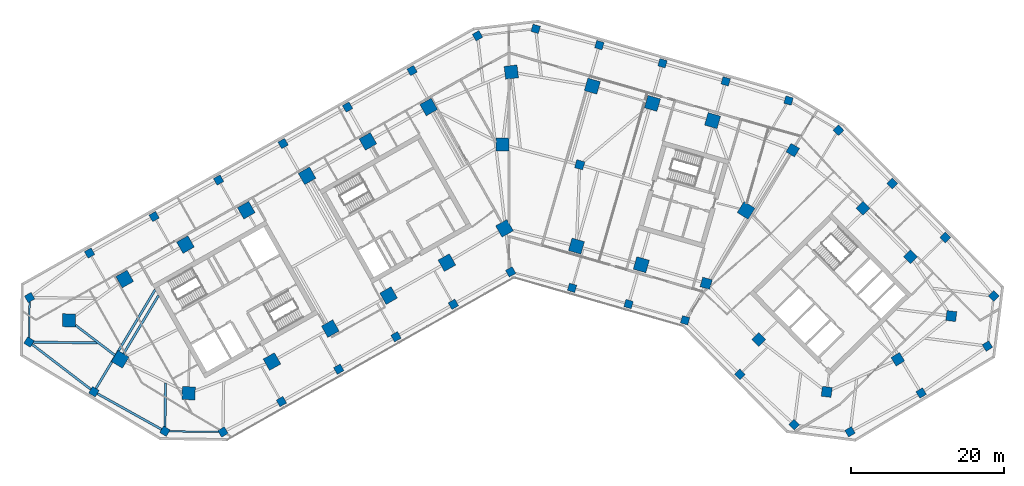
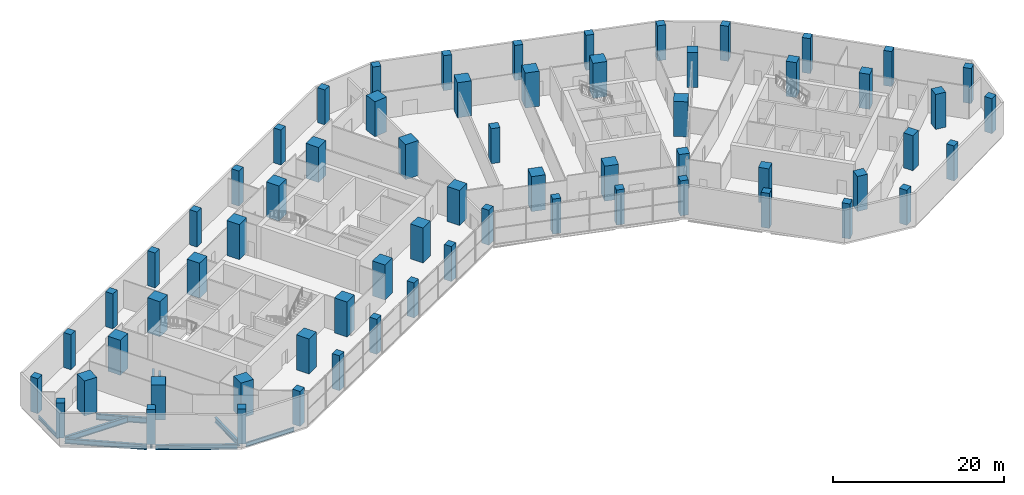
# One storey, part 1 of 15: 65 columns, 9 beams.
"""IFC4 building model written with IfcOpenShell, lengths in metres."""

from ifc_helpers import new_model, si_unit, direction, frame, origin, origin_2d, place, context, subcontext, project, spatial, rectangle, i_section, extrude, material, material_profile, profile_set, type_object, element, save


model = new_model("IFC4")

# Units and contexts
model_context = context("Model", 3, precision=1e-05, world=origin(), true_north=direction((0.0, 1.0)))
body_context = subcontext(model_context, "Body", "Model", "MODEL_VIEW")
ifc_project = project(units=[si_unit("LENGTHUNIT", "METRE"), si_unit("AREAUNIT", "SQUARE_METRE"), si_unit("VOLUMEUNIT", "CUBIC_METRE"), si_unit("PLANEANGLEUNIT", "RADIAN"), si_unit("MASSUNIT", "GRAM", prefix="KILO")], contexts=[model_context])

# Site, building, storey
site_placement = place(None, origin())
site = spatial("IfcSite", under=ifc_project, at=site_placement, CompositionType="ELEMENT")
building_placement = place(site_placement, origin())
building = spatial("IfcBuilding", under=site, at=building_placement, Name="Binnacle Exchange Tower", CompositionType="ELEMENT")
storey_placement = place(building_placement, frame((0.0, 0.0, 16.5)))
storey = spatial("IfcBuildingStorey", under=building, at=storey_placement, Name="L03", CompositionType="ELEMENT", Elevation=16.5)

# Columns
ifc_material_1 = material(Name="Concrete C60/75", Category="concrete")
ifc_material_profile_1 = material_profile(ifc_material_1, rectangle(XDim=1.10009765625, YDim=1.10009765625, at=origin_2d()), Name="Column 1100x1100 C60/75")
ifc_profile_set_1 = profile_set([ifc_material_profile_1], Name="Concrete C60/75")
column_type_1 = type_object("IfcColumnType", Name="Column 1100x1100 C60/75", PredefinedType="COLUMN", material=ifc_profile_set_1)
column_placement = place(storey_placement, frame((9.240966796875, 57.35009765625, 0.0), z_axis=(0.0, 0.0, 1.0), x_axis=(0.961261695938, -0.275637355817, 0.0)))
element("IfcColumn", 1, at=column_placement, inside=storey, type_object=column_type_1, Name="S:COL:C19:L03", PredefinedType="COLUMN", context=body_context, shape_type="SweptSolid", body=[
    extrude(rectangle(XDim=1.10009765625, YDim=1.10009765625, at=origin_2d()), origin(), (0.0, 0.0, 1.0), 5.0),
])
ifc_material_2 = material(Name="Concrete C70/85", Category="concrete")
ifc_material_profile_2 = material_profile(ifc_material_2, rectangle(XDim=1.300048828125, YDim=1.300048828125, at=origin_2d()), Name="Mega column 1300x1300 C70/85")
ifc_profile_set_2 = profile_set([ifc_material_profile_2], Name="Concrete C70/85")
column_type_2 = type_object("IfcColumnType", Name="Mega column 1300x1300 C70/85", PredefinedType="COLUMN", material=ifc_profile_set_2)
for number, where, z_axis, x_axis, name in (
    (2, (37.0849609375, 59.262451171875, 0.0), (0.0, 0.0, 1.0), (-0.859406411501, 0.511293086077, 0.0), "S:COL:MC57:L03"),
    (3, (25.766845703125, 41.85986328125, 0.0), (0.0, 0.0, 1.0), (0.961261695938, -0.275637355817, 0.0), "S:COL:MC56:L03"),
    (4, (32.64111328125, 34.530029296875, 0.0), (0.0, 0.0, 1.0), (0.7009092643, -0.713250449154, 0.0), "S:COL:MC59:L03"),
    (5, (41.519775390625, 27.6748046875, 0.0), (0.0, 0.0, 1.0), (0.99200494968, -0.126198969136, 0.0), "S:COL:MC61:L03"),
    (6, (50.81201171875, 31.930908203125, 0.0), (0.0, 0.0, 1.0), (0.857167300702, 0.51503807491, 0.0), "S:COL:MC63:L03"),
    (7, (57.799072265625, 37.5810546875, 0.0), (0.0, 0.0, 1.0), (0.126198969136, 0.99200494968, 0.0), "S:COL:MC62:L03"),
    (8, (52.466796875, 45.33935546875, 0.0), (0.0, 0.0, 1.0), (-0.7009092643, 0.713250449154, 0.0), "S:COL:MC60:L03"),
    (9, (46.248291015625, 51.667236328125, 0.0), (0.0, 0.0, 1.0), (-0.7009092643, 0.713250449154, 0.0), "S:COL:MC58:L03"),
):
    element("IfcColumn", number, at=place(storey_placement, frame(where, z_axis=z_axis, x_axis=x_axis)), inside=storey, type_object=column_type_2, Name=name, PredefinedType="COLUMN", context=body_context, shape_type="SweptSolid", body=[
        extrude(rectangle(XDim=1.300048828125, YDim=1.300048828125, at=origin_2d()), origin(), (0.0, 0.0, 1.0), 5.0),
    ])
ifc_material_profile_3 = material_profile(ifc_material_2, rectangle(XDim=1.699951171875, YDim=1.699951171875, at=origin_2d()), Name="Mega column 1700x1700 C70/85")
ifc_profile_set_3 = profile_set([ifc_material_profile_3], Name="Concrete C70/85")
column_type_3 = type_object("IfcColumnType", Name="Mega column 1700x1700 C70/85", PredefinedType="COLUMN", material=ifc_profile_set_3)
for number, where, z_axis, x_axis, name in (
    (10, (26.602783203125, 63.12353515625, 0.0), (0.0, 0.0, 1.0), (-0.961261695938, 0.275637355817, 0.0), "S:COL:MC52:L03"),
    (11, (18.746337890625, 65.376220703125, 0.0), (0.0, 0.0, 1.0), (-0.961261695938, 0.275637355817, 0.0), "S:COL:MC50:L03"),
    (12, (10.889892578125, 67.62890625, 0.0), (0.0, 0.0, 1.0), (-0.961261695938, 0.275637355817, 0.0), "S:COL:MC48:L03"),
    (13, (0.300048828125, 69.464111328125, 0.0), (0.0, 0.0, 1.0), (-0.993068456955, -0.117537397458, 0.0), "S:COL:MC47:L03"),
    (14, (-10.4951171875, 64.901611328125, 0.0), (0.0, 0.0, 1.0), (-0.87035569594, -0.492423560103, 0.0), "S:COL:MC38:L03"),
    (15, (-18.44140625, 60.406005859375, 0.0), (0.0, 0.0, 1.0), (-0.87035569594, -0.492423560103, 0.0), "S:COL:MC29:L03"),
    (16, (-26.3876953125, 55.91015625, 0.0), (0.0, 0.0, 1.0), (-0.87035569594, -0.492423560103, 0.0), "S:COL:MC21:L03"),
    (17, (-34.333740234375, 51.414306640625, 0.0), (0.0, 0.0, 1.0), (-0.87035569594, -0.492423560103, 0.0), "S:COL:MC13:L03"),
    (18, (-42.280029296875, 46.918701171875, 0.0), (0.0, 0.0, 1.0), (-0.87035569594, -0.492423560103, 0.0), "S:COL:MC08:L03"),
    (19, (-50.226318359375, 42.4228515625, 0.0), (0.0, 0.0, 1.0), (-0.87035569594, -0.492423560103, 0.0), "S:COL:MC04:L03"),
    (20, (-57.492919921875, 37.02734375, 0.0), (0.0, 0.0, 1.0), (-0.013089595571, -0.999914327574, 0.0), "S:COL:MC02:L03"),
    (21, (-50.81201171875, 31.930908203125, 0.0), (0.0, 0.0, 1.0), (0.857167300702, -0.51503807491, 0.0), "S:COL:MC01:L03"),
    (22, (-41.857666015625, 27.494873046875, 0.0), (0.0, 0.0, 1.0), (0.999914327574, -0.013089595571, 0.0), "S:COL:MC03:L03"),
    (23, (-30.9755859375, 31.63525390625, 0.0), (0.0, 0.0, 1.0), (0.87035569594, 0.492423560103, 0.0), "S:COL:MC07:L03"),
    (24, (-23.35595703125, 35.9462890625, 0.0), (0.0, 0.0, 1.0), (0.87035569594, 0.492423560103, 0.0), "S:COL:MC16:L03"),
    (25, (-15.736328125, 40.257080078125, 0.0), (0.0, 0.0, 1.0), (0.87035569594, 0.492423560103, 0.0), "S:COL:MC24:L03"),
    (26, (-8.116943359375, 44.568115234375, 0.0), (0.0, 0.0, 1.0), (0.87035569594, 0.492423560103, 0.0), "S:COL:MC35:L03"),
    (27, (-0.5908203125, 49.04443359375, 0.0), (0.0, 0.0, 1.0), (0.87035569594, 0.492423560103, 0.0), "S:COL:MC46:L03"),
    (28, (8.8095703125, 46.722412109375, 0.0), (0.0, 0.0, 1.0), (0.961261695938, -0.275637355817, 0.0), "S:COL:MC49:L03"),
    (29, (17.2880859375, 44.291015625, 0.0), (0.0, 0.0, 1.0), (0.961261695938, -0.275637355817, 0.0), "S:COL:MC51:L03"),
    (30, (30.989501953125, 51.38623046875, 0.0), (0.0, 0.0, 1.0), (0.529919264233, 0.848048096156, 0.0), "S:COL:MC55:L03"),
    (31, (-0.85009765625, 60.0, 0.0), (0.0, 0.0, 1.0), (0.0, 1.0, 0.0), "S:COL:MC45:L03"),
):
    element("IfcColumn", number, at=place(storey_placement, frame(where, z_axis=z_axis, x_axis=x_axis)), inside=storey, type_object=column_type_3, Name=name, PredefinedType="COLUMN", context=body_context, shape_type="SweptSolid", body=[
        extrude(rectangle(XDim=1.699951171875, YDim=1.699951171875, at=origin_2d()), origin(), (0.0, 0.0, 1.0), 5.0),
    ])
ifc_material_3 = material(Name="Concrete C50/60", Category="concrete")
ifc_material_profile_4 = material_profile(ifc_material_3, rectangle(XDim=1.0, YDim=1.0, at=origin_2d()), Name="Podium column 1000x1000 C50/60")
ifc_profile_set_4 = profile_set([ifc_material_profile_4], Name="Concrete C50/60")
column_type_4 = type_object("IfcColumnType", Name="Podium column 1000x1000 C50/60", PredefinedType="COLUMN", material=ifc_profile_set_4)
for number, where, z_axis, x_axis, name in (
    (32, (36.5283203125, 65.739013671875, 0.0), (0.0, 0.0, 1.0), (-0.961261695938, 0.275637355817, 0.0), "S:COL:C25:L03"),
    (33, (28.31591796875, 68.249755859375, 0.0), (0.0, 0.0, 1.0), (-0.961261695938, 0.275637355817, 0.0), "S:COL:C24:L03"),
    (34, (20.0625, 70.616455078125, 0.0), (0.0, 0.0, 1.0), (-0.961261695938, 0.275637355817, 0.0), "S:COL:C22:L03"),
    (35, (11.808837890625, 72.983154296875, 0.0), (0.0, 0.0, 1.0), (-0.961261695938, 0.275637355817, 0.0), "S:COL:C20:L03"),
    (36, (3.486083984375, 75.109619140625, 0.0), (0.0, 0.0, 1.0), (-0.961261695938, 0.275637355817, 0.0), "S:COL:C18:L03"),
    (37, (-4.115966796875, 74.209716796875, 0.0), (0.0, 0.0, 1.0), (-0.87035569594, -0.492423560103, 0.0), "S:COL:C16:L03"),
    (38, (-12.66748046875, 69.65869140625, 0.0), (0.0, 0.0, 1.0), (-0.87035569594, -0.492423560103, 0.0), "S:COL:C15:L03"),
    (39, (-21.095703125, 64.89013671875, 0.0), (0.0, 0.0, 1.0), (-0.87035569594, -0.492423560103, 0.0), "S:COL:C13:L03"),
    (40, (-29.524169921875, 60.12158203125, 0.0), (0.0, 0.0, 1.0), (-0.87035569594, -0.492423560103, 0.0), "S:COL:C11:L03"),
    (41, (-37.95263671875, 55.35302734375, 0.0), (0.0, 0.0, 1.0), (-0.87035569594, -0.492423560103, 0.0), "S:COL:C10:L03"),
    (42, (-46.381103515625, 50.58447265625, 0.0), (0.0, 0.0, 1.0), (-0.87035569594, -0.492423560103, 0.0), "S:COL:C08:L03"),
    (43, (-54.8095703125, 45.81591796875, 0.0), (0.0, 0.0, 1.0), (-0.87035569594, -0.492423560103, 0.0), "S:COL:C06:L03"),
    (44, (-62.64697265625, 40.0029296875, 0.0), (0.0, 0.0, 1.0), (-0.87035569594, -0.492423560103, 0.0), "S:COL:C05:L03"),
    (45, (-62.722900390625, 34.18798828125, 0.0), (0.0, 0.0, 1.0), (0.857167300702, -0.51503807491, 0.0), "S:COL:C03:L03"),
    (46, (-54.244873046875, 27.69384765625, 0.0), (0.0, 0.0, 1.0), (0.857167300702, -0.51503807491, 0.0), "S:COL:C02:L03"),
    (47, (-44.968505859375, 22.5283203125, 0.0), (0.0, 0.0, 1.0), (0.857167300702, -0.51503807491, 0.0), "S:COL:C01:L03"),
    (48, (-37.378173828125, 22.428955078125, 0.0), (0.0, 0.0, 1.0), (0.87035569594, 0.492423560103, 0.0), "S:COL:C04:L03"),
    (49, (-29.740478515625, 26.4052734375, 0.0), (0.0, 0.0, 1.0), (0.87035569594, 0.492423560103, 0.0), "S:COL:C07:L03"),
    (50, (-22.250732421875, 30.642822265625, 0.0), (0.0, 0.0, 1.0), (0.87035569594, 0.492423560103, 0.0), "S:COL:C09:L03"),
    (51, (-14.760986328125, 34.88037109375, 0.0), (0.0, 0.0, 1.0), (0.87035569594, 0.492423560103, 0.0), "S:COL:C12:L03"),
    (52, (-7.27099609375, 39.117919921875, 0.0), (0.0, 0.0, 1.0), (0.87035569594, 0.492423560103, 0.0), "S:COL:C14:L03"),
    (53, (0.21875, 43.35546875, 0.0), (0.0, 0.0, 1.0), (0.87035569594, 0.492423560103, 0.0), "S:COL:C17:L03"),
    (54, (8.242919921875, 41.26708984375, 0.0), (0.0, 0.0, 1.0), (0.961261695938, -0.275637355817, 0.0), "S:COL:C21:L03"),
    (55, (15.6279296875, 39.1494140625, 0.0), (0.0, 0.0, 1.0), (0.961261695938, -0.275637355817, 0.0), "S:COL:C23:L03"),
    (56, (23.01318359375, 37.031982421875, 0.0), (0.0, 0.0, 1.0), (0.961261695938, -0.275637355817, 0.0), "S:COL:C26:L03"),
    (57, (30.17236328125, 29.9658203125, 0.0), (0.0, 0.0, 1.0), (0.7009092643, -0.713250449154, 0.0), "S:COL:C29:L03"),
    (58, (37.26708984375, 23.38818359375, 0.0), (0.0, 0.0, 1.0), (0.7009092643, -0.713250449154, 0.0), "S:COL:C32:L03"),
    (59, (44.563720703125, 22.4599609375, 0.0), (0.0, 0.0, 1.0), (0.857167300702, 0.51503807491, 0.0), "S:COL:C35:L03"),
    (60, (53.86376953125, 27.52294921875, 0.0), (0.0, 0.0, 1.0), (0.857167300702, 0.51503807491, 0.0), "S:COL:C34:L03"),
    (61, (62.52001953125, 33.65771484375, 0.0), (0.0, 0.0, 1.0), (0.857167300702, 0.51503807491, 0.0), "S:COL:C33:L03"),
    (62, (63.35205078125, 40.197509765625, 0.0), (0.0, 0.0, 1.0), (-0.7009092643, 0.713250449154, 0.0), "S:COL:C31:L03"),
    (63, (57.02197265625, 47.8515625, 0.0), (0.0, 0.0, 1.0), (-0.7009092643, 0.713250449154, 0.0), "S:COL:C30:L03"),
    (64, (50.085693359375, 54.91015625, 0.0), (0.0, 0.0, 1.0), (-0.7009092643, 0.713250449154, 0.0), "S:COL:C28:L03"),
    (65, (43.04248046875, 61.86328125, 0.0), (0.0, 0.0, 1.0), (-0.7009092643, 0.713250449154, 0.0), "S:COL:C27:L03"),
):
    element("IfcColumn", number, at=place(storey_placement, frame(where, z_axis=z_axis, x_axis=x_axis)), inside=storey, type_object=column_type_4, Name=name, PredefinedType="COLUMN", context=body_context, shape_type="SweptSolid", body=[
        extrude(rectangle(XDim=1.0, YDim=1.0, at=origin_2d()), origin(), (0.0, 0.0, 1.0), 5.0),
    ])

# Beams
ifc_material_4 = material(Name="Steel S355 (SHN355)", Category="steel")
ifc_material_profile_5 = material_profile(ifc_material_4, i_section(OverallWidth=0.199951171875, OverallDepth=0.5, WebThickness=0.010009765625, FlangeThickness=0.01611328125, FilletRadius=0.02001953125, at=origin_2d()), Name="H 500x200x10x16")
ifc_profile_set_5 = profile_set([ifc_material_profile_5], Name="Steel S355 (SHN355)")
beam_type_1 = type_object("IfcBeamType", Name="Edge girder H 500x200x10x16 Steel S355 (SHN355)", PredefinedType="SPANDREL", material=ifc_profile_set_5)
beam_1_placement = place(storey_placement, frame((-62.71533203125, 34.7666015625, -0.60009765625), z_axis=(0.013051255038, 0.999914828744, 0.0), x_axis=(-0.999914828744, 0.013051255038, 0.0)))
element("IfcBeam", 66, at=beam_1_placement, inside=storey, type_object=beam_type_1, Name="S:BM:edge:L03:014", PredefinedType="SPANDREL", context=body_context, shape_type="SweptSolid", body=[
    extrude(i_section(OverallWidth=0.199951171875, OverallDepth=0.5, WebThickness=0.010009765625, FlangeThickness=0.01611328125, FilletRadius=0.02001953125, at=origin_2d()), origin(), (0.0, 0.0, 1.0), 4.657958984375),
])
ifc_material_profile_6 = material_profile(ifc_material_4, i_section(OverallWidth=0.200927734375, OverallDepth=0.60595703125, WebThickness=0.011962890625, FlangeThickness=0.02001953125, FilletRadius=0.02197265625, at=origin_2d()), Name="H 606x201x12x20")
ifc_profile_set_6 = profile_set([ifc_material_profile_6], Name="Steel S355 (SHN355)")
beam_type_2 = type_object("IfcBeamType", Name="Edge girder H 606x201x12x20 Steel S355 (SHN355)", PredefinedType="SPANDREL", material=ifc_profile_set_6)
beam_2_placement = place(storey_placement, frame((-37.95703125, 22.4365234375, -0.653076171875), z_axis=(-0.999914291463, 0.013092353811, 0.0), x_axis=(-0.013092353811, -0.999914291463, 0.0)))
element("IfcBeam", 67, at=beam_2_placement, inside=storey, type_object=beam_type_2, Name="S:BM:edge:L03:025", PredefinedType="SPANDREL", context=body_context, shape_type="SweptSolid", body=[
    extrude(i_section(OverallWidth=0.200927734375, OverallDepth=0.60595703125, WebThickness=0.011962890625, FlangeThickness=0.02001953125, FilletRadius=0.02197265625, at=origin_2d()), origin(), (0.0, 0.0, 1.0), 6.433349609375),
])
ifc_material_profile_7 = material_profile(ifc_material_4, i_section(OverallWidth=0.300048828125, OverallDepth=0.699951171875, WebThickness=0.012939453125, FlangeThickness=0.02392578125, FilletRadius=0.028076171875, at=origin_2d()), Name="H 700x300x13x24")
ifc_profile_set_7 = profile_set([ifc_material_profile_7], Name="Steel S355 (SHN355)")
beam_type_3 = type_object("IfcBeamType", Name="Edge girder H 700x300x13x24 Steel S355 (SHN355)", PredefinedType="SPANDREL", material=ifc_profile_set_7)
beam_3_placement = place(storey_placement, frame((-54.644287109375, 27.999755859375, -0.699951171875), z_axis=(-0.793871146685, 0.608086015676, 0.0), x_axis=(-0.608086015676, -0.793871146685, 0.0)))
element("IfcBeam", 68, at=beam_3_placement, inside=storey, type_object=beam_type_3, Name="S:BM:edge:L03:017", PredefinedType="SPANDREL", context=body_context, shape_type="SweptSolid", body=[
    extrude(i_section(OverallWidth=0.300048828125, OverallDepth=0.699951171875, WebThickness=0.012939453125, FlangeThickness=0.02392578125, FilletRadius=0.028076171875, at=origin_2d()), origin(), (0.0, 0.0, 1.0), 9.673095703125),
])
beam_4_placement = place(storey_placement, frame((-45.40576171875, 22.771728515625, -0.699951171875), z_axis=(-0.873676660619, 0.486507032518, 0.0), x_axis=(-0.486507032518, -0.873676660619, 0.0)))
element("IfcBeam", 69, at=beam_4_placement, inside=storey, type_object=beam_type_3, Name="S:BM:edge:L03:022", PredefinedType="SPANDREL", context=body_context, shape_type="SweptSolid", body=[
    extrude(i_section(OverallWidth=0.300048828125, OverallDepth=0.699951171875, WebThickness=0.012939453125, FlangeThickness=0.02392578125, FilletRadius=0.028076171875, at=origin_2d()), origin(), (0.0, 0.0, 1.0), 9.616943359375),
])
ifc_material_profile_8 = material_profile(ifc_material_4, i_section(OverallWidth=0.302001953125, OverallDepth=0.80810546875, WebThickness=0.01611328125, FlangeThickness=0.030029296875, FilletRadius=0.028076171875, at=origin_2d()), Name="H 808x302x16x30")
ifc_profile_set_8 = profile_set([ifc_material_profile_8], Name="Steel S355 (SHN355)")
beam_type_4 = type_object("IfcBeamType", Name="Edge girder H 808x302x16x30 Steel S355 (SHN355)", PredefinedType="SPANDREL", material=ifc_profile_set_8)
beam_5_placement = place(storey_placement, frame((-56.6513671875, 36.38525390625, -0.75390625), z_axis=(0.795093040263, -0.606487474994, 0.0), x_axis=(0.606487474994, 0.795093040263, 0.0)))
element("IfcBeam", 70, at=beam_5_placement, inside=storey, type_object=beam_type_4, Name="S:BM:edge:L03:016", PredefinedType="SPANDREL", context=body_context, shape_type="SweptSolid", body=[
    extrude(i_section(OverallWidth=0.302001953125, OverallDepth=0.80810546875, WebThickness=0.01611328125, FlangeThickness=0.030029296875, FilletRadius=0.028076171875, at=origin_2d()), origin(), (0.0, 0.0, 1.0), 6.489013671875),
])
ifc_material_profile_9 = material_profile(ifc_material_4, i_section(OverallWidth=0.300048828125, OverallDepth=0.699951171875, WebThickness=0.012939453125, FlangeThickness=0.02392578125, FilletRadius=0.028076171875, at=origin_2d()), Name="H 700x300x13x24")
ifc_profile_set_9 = profile_set([ifc_material_profile_9], Name="Steel S355 (SHN355)")
beam_type_5 = type_object("IfcBeamType", Name="Floor beam H 700x300x13x24 Steel S355 (SHN355)", PredefinedType="BEAM", material=ifc_profile_set_9)
beam_6_placement = place(storey_placement, frame((-44.9609375, 23.107177734375, -0.699951171875), z_axis=(0.013063826795, 0.999914664574, 0.0), x_axis=(-0.999914664574, 0.013063826795, 0.0)))
element("IfcBeam", 71, at=beam_6_placement, inside=storey, type_object=beam_type_5, Name="S:BM:cross:L03:082", PredefinedType="BEAM", context=body_context, shape_type="SweptSolid", body=[
    extrude(i_section(OverallWidth=0.300048828125, OverallDepth=0.699951171875, WebThickness=0.012939453125, FlangeThickness=0.02392578125, FilletRadius=0.028076171875, at=origin_2d()), origin(), (0.0, 0.0, 1.0), 5.7373046875),
])
ifc_material_profile_10 = material_profile(ifc_material_4, i_section(OverallWidth=0.302001953125, OverallDepth=0.80810546875, WebThickness=0.01611328125, FlangeThickness=0.030029296875, FilletRadius=0.028076171875, at=origin_2d()), Name="H 808x302x16x30")
ifc_profile_set_10 = profile_set([ifc_material_profile_10], Name="Steel S355 (SHN355)")
beam_type_6 = type_object("IfcBeamType", Name="Floor beam H 808x302x16x30 Steel S355 (SHN355)", PredefinedType="BEAM", material=ifc_profile_set_10)
beam_7_placement = place(storey_placement, frame((-62.144287109375, 34.180419921875, -0.75390625), z_axis=(0.999914070306, -0.013109233529, 0.0), x_axis=(0.013109233529, 0.999914070306, 0.0)))
element("IfcBeam", 72, at=beam_7_placement, inside=storey, type_object=beam_type_6, Name="S:BM:cross:L03:076", PredefinedType="BEAM", context=body_context, shape_type="SweptSolid", body=[
    extrude(i_section(OverallWidth=0.302001953125, OverallDepth=0.80810546875, WebThickness=0.01611328125, FlangeThickness=0.030029296875, FilletRadius=0.028076171875, at=origin_2d()), origin(), (0.0, 0.0, 1.0), 8.380615234375),
])
beam_8_placement = place(storey_placement, frame((-50.374267578125, 32.659423828125, -0.75390625), z_axis=(0.515042389499, 0.857164708221, 0.0), x_axis=(-0.857164708221, 0.515042389499, 0.0)))
element("IfcBeam", 73, at=beam_8_placement, inside=storey, type_object=beam_type_6, Name="S:BM:cross:L03:080", PredefinedType="BEAM", context=body_context, shape_type="SweptSolid", body=[
    extrude(i_section(OverallWidth=0.302001953125, OverallDepth=0.80810546875, WebThickness=0.01611328125, FlangeThickness=0.030029296875, FilletRadius=0.028076171875, at=origin_2d()), origin(), (0.0, 0.0, 1.0), 8.865234375),
])
ifc_material_profile_11 = material_profile(ifc_material_4, i_section(OverallWidth=0.302978515625, OverallDepth=0.91796875, WebThickness=0.01904296875, FlangeThickness=0.037109375, FilletRadius=0.028076171875, at=origin_2d()), Name="H 918x303x19x37")
ifc_profile_set_11 = profile_set([ifc_material_profile_11], Name="Steel S355 (SHN355)")
beam_type_7 = type_object("IfcBeamType", Name="Floor beam H 918x303x19x37 Steel S355 (SHN355)", PredefinedType="BEAM", material=ifc_profile_set_11)
beam_9_placement = place(storey_placement, frame((-53.9873046875, 28.122314453125, -0.80908203125), z_axis=(0.515027805522, 0.857173471089, 0.0), x_axis=(-0.857173471089, 0.515027805522, 0.0)))
element("IfcBeam", 74, at=beam_9_placement, inside=storey, type_object=beam_type_7, Name="S:BM:cross:L03:079", PredefinedType="BEAM", context=body_context, shape_type="SweptSolid", body=[
    extrude(i_section(OverallWidth=0.302978515625, OverallDepth=0.91796875, WebThickness=0.01904296875, FlangeThickness=0.037109375, FilletRadius=0.028076171875, at=origin_2d()), origin(), (0.0, 0.0, 1.0), 15.04541015625),
])

save(model, "model.ifc")
